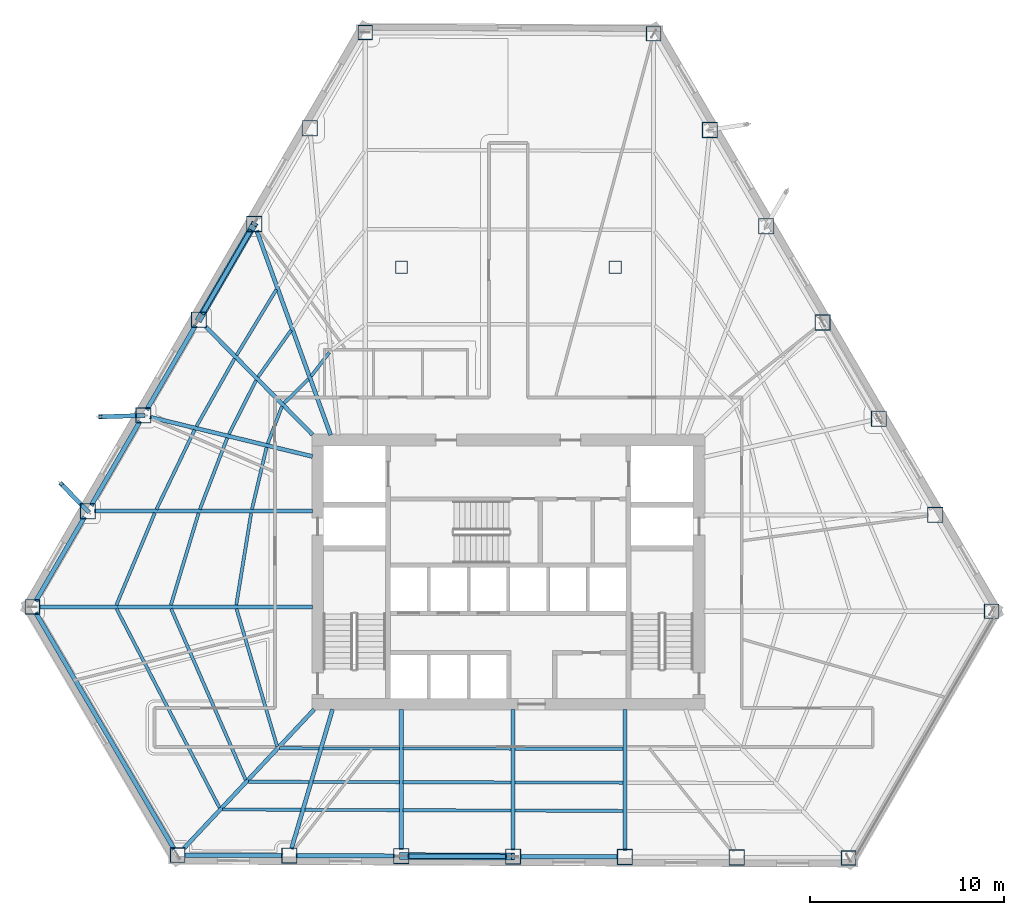
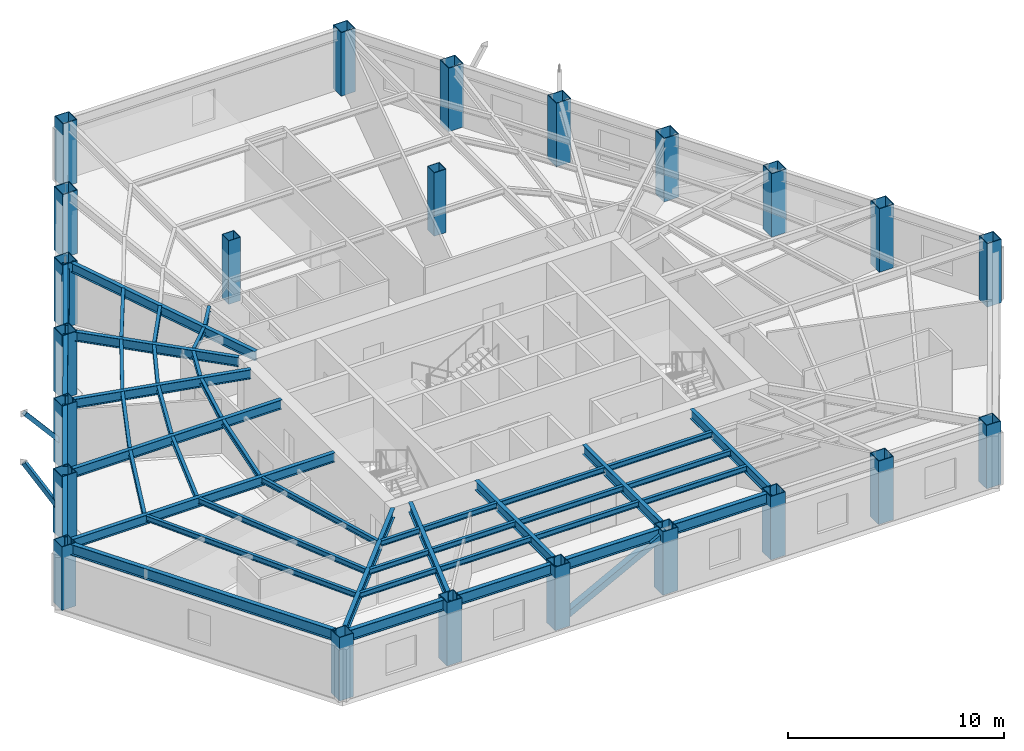
# One storey, part 1 of 14: 47 beams, 23 columns, 4 members.
"""IFC4 building model written with IfcOpenShell, lengths in metres."""

from ifc_helpers import new_model, si_unit, direction, frame, origin, origin_2d, place, context, subcontext, project, spatial, hollow_rectangle, i_section, extrude, material, material_profile, profile_set, type_object, element, save


model = new_model("IFC4")

# Units and contexts
model_context = context("Model", 3, precision=1e-05, world=origin(), true_north=direction((0.0, 1.0)))
body_context = subcontext(model_context, "Body", "Model", "MODEL_VIEW")
ifc_project = project(units=[si_unit("LENGTHUNIT", "METRE"), si_unit("AREAUNIT", "SQUARE_METRE"), si_unit("VOLUMEUNIT", "CUBIC_METRE"), si_unit("PLANEANGLEUNIT", "RADIAN"), si_unit("MASSUNIT", "GRAM", prefix="KILO")], contexts=[model_context])

# Site, building, storey
site_placement = place(None, origin())
site = spatial("IfcSite", under=ifc_project, at=site_placement, CompositionType="ELEMENT")
building_placement = place(site_placement, origin())
building = spatial("IfcBuilding", under=site, at=building_placement, Name="Kavelnor Concourse Tower", CompositionType="ELEMENT")
storey_placement = place(building_placement, frame((0.0, 0.0, 52.199951171875)))
storey = spatial("IfcBuildingStorey", under=building, at=storey_placement, Name="L13", CompositionType="ELEMENT", Elevation=52.199951171875)

# Columns
ifc_material = material(Name="Steel Grade 350", Category="steel")
ifc_material_profile_1 = material_profile(ifc_material, hollow_rectangle(XDim=0.760009765625, YDim=0.760009765625, WallThickness=0.034912109375, at=origin_2d()), Name="SHS 760x760x35")
ifc_profile_set_1 = profile_set([ifc_material_profile_1], Name="Steel Grade 350")
column_type_1 = type_object("IfcColumnType", Name="COL-FOLD-Z1", PredefinedType="COLUMN", material=ifc_profile_set_1)
for number, where, z_axis, x_axis, name in (
    (1, (30.634033203125, 43.885498046875, 0.0), (0.0, 0.0, 1.0), (1.0, 0.0, 0.0), "L13 Perimeter Corner-Fold Column F0-B0"),
    (2, (13.494384765625, 14.3076171875, 0.0), (0.0, 0.0, 1.0), (1.0, 0.0, 0.0), "L13 Perimeter Corner-Fold Column F0-B6"),
    (3, (20.9716796875, 1.53125, 0.0), (0.0, 0.0, 1.0), (1.0, 0.0, 0.0), "L13 Perimeter Corner-Fold Column F1-B0"),
    (4, (55.5205078125, 1.38232421875, 0.0), (0.0, 0.0, 1.0), (1.0, 0.0, 0.0), "L13 Perimeter Corner-Fold Column F1-B6"),
    (5, (62.8828125, 14.08740234375, 0.0), (0.0, 0.0, 1.0), (1.0, 0.0, 0.0), "L13 Perimeter Corner-Fold Column F2-B0"),
    (6, (45.481201171875, 43.8212890625, 0.0), (0.0, 0.0, 1.0), (1.0, 0.0, 0.0), "L13 Perimeter Corner-Fold Column F2-B6"),
):
    element("IfcColumn", number, at=place(storey_placement, frame(where, z_axis=z_axis, x_axis=x_axis)), inside=storey, type_object=column_type_1, Name=name, PredefinedType="COLUMN", context=body_context, shape_type="SweptSolid", body=[
        extrude(hollow_rectangle(XDim=0.760009765625, YDim=0.760009765625, WallThickness=0.034912109375, at=origin_2d()), origin(), (0.0, 0.0, 1.0), 3.590087890625),
    ])
ifc_material_profile_2 = material_profile(ifc_material, hollow_rectangle(XDim=0.800048828125, YDim=0.800048828125, WallThickness=0.035888671875, at=origin_2d()), Name="SHS 800x800x36")
ifc_profile_set_2 = profile_set([ifc_material_profile_2], Name="Steel Grade 350")
column_type_2 = type_object("IfcColumnType", Name="COL-TUBE-Z1", PredefinedType="COLUMN", material=ifc_profile_set_2)
for number, where, z_axis, x_axis, name in (
    (7, (27.77734375, 38.955810546875, 0.0), (0.0, 0.0, 1.0), (1.0, 0.0, 0.0), "L13 Perimeter Framed-Tube Column F0-B1"),
    (8, (24.9208984375, 34.026123046875, 0.0), (0.0, 0.0, 1.0), (1.0, 0.0, 0.0), "L13 Perimeter Framed-Tube Column F0-B2"),
    (9, (22.064208984375, 29.0966796875, 0.0), (0.0, 0.0, 1.0), (1.0, 0.0, 0.0), "L13 Perimeter Framed-Tube Column F0-B3"),
    (10, (19.20751953125, 24.1669921875, 0.0), (0.0, 0.0, 1.0), (1.0, 0.0, 0.0), "L13 Perimeter Framed-Tube Column F0-B4"),
    (11, (16.35107421875, 19.2373046875, 0.0), (0.0, 0.0, 1.0), (1.0, 0.0, 0.0), "L13 Perimeter Framed-Tube Column F0-B5"),
    (12, (26.729736328125, 1.506591796875, 0.0), (0.0, 0.0, 1.0), (1.0, 0.0, 0.0), "L13 Perimeter Framed-Tube Column F1-B1"),
    (13, (32.488037109375, 1.481689453125, 0.0), (0.0, 0.0, 1.0), (1.0, 0.0, 0.0), "L13 Perimeter Framed-Tube Column F1-B2"),
    (14, (38.24609375, 1.456787109375, 0.0), (0.0, 0.0, 1.0), (1.0, 0.0, 0.0), "L13 Perimeter Framed-Tube Column F1-B3"),
    (15, (44.004150390625, 1.431884765625, 0.0), (0.0, 0.0, 1.0), (1.0, 0.0, 0.0), "L13 Perimeter Framed-Tube Column F1-B4"),
    (16, (49.762451171875, 1.406982421875, 0.0), (0.0, 0.0, 1.0), (1.0, 0.0, 0.0), "L13 Perimeter Framed-Tube Column F1-B5"),
    (17, (59.982666015625, 19.043212890625, 0.0), (0.0, 0.0, 1.0), (1.0, 0.0, 0.0), "L13 Perimeter Framed-Tube Column F2-B1"),
    (18, (57.082275390625, 23.998779296875, 0.0), (0.0, 0.0, 1.0), (1.0, 0.0, 0.0), "L13 Perimeter Framed-Tube Column F2-B2"),
    (19, (54.181884765625, 28.95458984375, 0.0), (0.0, 0.0, 1.0), (1.0, 0.0, 0.0), "L13 Perimeter Framed-Tube Column F2-B3"),
    (20, (51.28173828125, 33.91015625, 0.0), (0.0, 0.0, 1.0), (1.0, 0.0, 0.0), "L13 Perimeter Framed-Tube Column F2-B4"),
    (21, (48.38134765625, 38.86572265625, 0.0), (0.0, 0.0, 1.0), (1.0, 0.0, 0.0), "L13 Perimeter Framed-Tube Column F2-B5"),
):
    element("IfcColumn", number, at=place(storey_placement, frame(where, z_axis=z_axis, x_axis=x_axis)), inside=storey, type_object=column_type_2, Name=name, PredefinedType="COLUMN", context=body_context, shape_type="SweptSolid", body=[
        extrude(hollow_rectangle(XDim=0.800048828125, YDim=0.800048828125, WallThickness=0.035888671875, at=origin_2d()), origin(), (0.0, 0.0, 1.0), 3.590087890625),
    ])
ifc_material_profile_3 = material_profile(ifc_material, hollow_rectangle(XDim=0.639892578125, YDim=0.639892578125, WallThickness=0.028076171875, at=origin_2d()), Name="SHS 640x640x28")
ifc_profile_set_3 = profile_set([ifc_material_profile_3], Name="Steel Grade 350")
column_type_3 = type_object("IfcColumnType", Name="COL-TUBE-Z3", PredefinedType="COLUMN", material=ifc_profile_set_3)
for number, where, z_axis, x_axis, name in (
    (22, (32.5, 31.800048828125, 0.0), (0.0, 0.0, 1.0), (1.0, 0.0, 0.0), "L13 North Interior Gravity Column BC-NW"),
    (23, (43.5, 31.800048828125, 0.0), (0.0, 0.0, 1.0), (1.0, 0.0, 0.0), "L13 North Interior Gravity Column BC-NE"),
):
    element("IfcColumn", number, at=place(storey_placement, frame(where, z_axis=z_axis, x_axis=x_axis)), inside=storey, type_object=column_type_3, Name=name, PredefinedType="COLUMN", context=body_context, shape_type="SweptSolid", body=[
        extrude(hollow_rectangle(XDim=0.639892578125, YDim=0.639892578125, WallThickness=0.028076171875, at=origin_2d()), origin(), (0.0, 0.0, 1.0), 3.590087890625),
    ])

# Beams
ifc_material_profile_4 = material_profile(ifc_material, i_section(OverallWidth=0.166015625, OverallDepth=0.306884765625, WebThickness=0.006591796875, FlangeThickness=0.01171875, at=origin_2d()), Name="310UB46")
ifc_profile_set_4 = profile_set([ifc_material_profile_4], Name="Steel Grade 350")
beam_type_1 = type_object("IfcBeamType", Name="BM-JOIST-310", PredefinedType="JOIST", material=ifc_profile_set_4)
beam_1_placement = place(storey_placement, frame((24.00390625, 14.213134765625, 3.4365234375), z_axis=(0.283136985021, -0.959079479352, 0.0), x_axis=(0.959079479352, 0.283136985021, 0.0)))
element("IfcBeam", 24, at=beam_1_placement, inside=storey, type_object=beam_type_1, Name="L13 Secondary Composite Joist 01-1", PredefinedType="JOIST", context=body_context, shape_type="SweptSolid", body=[
    extrude(i_section(OverallWidth=0.166015625, OverallDepth=0.306884765625, WebThickness=0.006591796875, FlangeThickness=0.01171875, at=origin_2d()), origin(), (0.0, 0.0, 1.0), 7.39306640625),
])
beam_2_placement = place(storey_placement, frame((20.635009765625, 14.21728515625, 3.4365234375), z_axis=(0.399623716586, -0.916679270597, 0.0), x_axis=(0.916679270597, 0.399623716586, 0.0)))
element("IfcBeam", 25, at=beam_2_placement, inside=storey, type_object=beam_type_1, Name="L13 Secondary Composite Joist 01-2", PredefinedType="JOIST", context=body_context, shape_type="SweptSolid", body=[
    extrude(i_section(OverallWidth=0.166015625, OverallDepth=0.306884765625, WebThickness=0.006591796875, FlangeThickness=0.01171875, at=origin_2d()), origin(), (0.0, 0.0, 1.0), 9.615478515625),
])
beam_3_placement = place(storey_placement, frame((17.82373046875, 14.22021484375, 3.4365234375), z_axis=(0.45984292972, -0.888000270263, 0.0), x_axis=(0.888000270263, 0.45984292972, 0.0)))
element("IfcBeam", 26, at=beam_3_placement, inside=storey, type_object=beam_type_1, Name="L13 Secondary Composite Joist 01-3", PredefinedType="JOIST", context=body_context, shape_type="SweptSolid", body=[
    extrude(i_section(OverallWidth=0.166015625, OverallDepth=0.306884765625, WebThickness=0.006591796875, FlangeThickness=0.01171875, at=origin_2d()), origin(), (0.0, 0.0, 1.0), 11.542236328125),
])
beam_4_placement = place(storey_placement, frame((26.223388671875, 7.02783203125, 3.4365234375), z_axis=(0.999999128522, -0.001320210083, 0.0), x_axis=(0.001320210083, 0.999999128522, 0.0)))
element("IfcBeam", 27, at=beam_4_placement, inside=storey, type_object=beam_type_1, Name="L13 Secondary Composite Joist 02-1", PredefinedType="JOIST", context=body_context, shape_type="SweptSolid", body=[
    extrude(i_section(OverallWidth=0.166015625, OverallDepth=0.306884765625, WebThickness=0.006591796875, FlangeThickness=0.01171875, at=origin_2d()), origin(), (0.0, 0.0, 1.0), 2.0341796875),
])
beam_5_placement = place(storey_placement, frame((24.615234375, 5.312255859375, 3.4365234375), z_axis=(0.999992106933, -0.003973169013, 0.0), x_axis=(0.003973169013, 0.999992106933, 0.0)))
element("IfcBeam", 28, at=beam_5_placement, inside=storey, type_object=beam_type_1, Name="L13 Secondary Composite Joist 02-2", PredefinedType="JOIST", context=body_context, shape_type="SweptSolid", body=[
    extrude(i_section(OverallWidth=0.166015625, OverallDepth=0.306884765625, WebThickness=0.006591796875, FlangeThickness=0.01171875, at=origin_2d()), origin(), (0.0, 0.0, 1.0), 3.1337890625),
])
beam_6_placement = place(storey_placement, frame((23.275146484375, 3.8828125, 3.4365234375), z_axis=(0.999986562523, -0.005184088515, 0.0), x_axis=(0.005184088515, 0.999986562523, 0.0)))
element("IfcBeam", 29, at=beam_6_placement, inside=storey, type_object=beam_type_1, Name="L13 Secondary Composite Joist 02-3", PredefinedType="JOIST", context=body_context, shape_type="SweptSolid", body=[
    extrude(i_section(OverallWidth=0.166015625, OverallDepth=0.306884765625, WebThickness=0.006591796875, FlangeThickness=0.01171875, at=origin_2d()), origin(), (0.0, 0.0, 1.0), 4.050048828125),
])
beam_7_placement = place(storey_placement, frame((28.45458984375, 7.02490234375, 3.4365234375), z_axis=(0.999998891276, -0.001489109226, 0.0), x_axis=(0.001489109226, 0.999998891276, 0.0)))
element("IfcBeam", 30, at=beam_7_placement, inside=storey, type_object=beam_type_1, Name="L13 Secondary Composite Joist 03-1", PredefinedType="JOIST", context=body_context, shape_type="SweptSolid", body=[
    extrude(i_section(OverallWidth=0.166015625, OverallDepth=0.306884765625, WebThickness=0.006591796875, FlangeThickness=0.01171875, at=origin_2d()), origin(), (0.0, 0.0, 1.0), 3.934814453125),
])
beam_8_placement = place(storey_placement, frame((27.946044921875, 5.29931640625, 3.4365234375), z_axis=(0.999995918392, -0.002857131195, 0.0), x_axis=(0.002857131195, 0.999995918392, 0.0)))
element("IfcBeam", 31, at=beam_8_placement, inside=storey, type_object=beam_type_1, Name="L13 Secondary Composite Joist 03-2", PredefinedType="JOIST", context=body_context, shape_type="SweptSolid", body=[
    extrude(i_section(OverallWidth=0.166015625, OverallDepth=0.306884765625, WebThickness=0.006591796875, FlangeThickness=0.01171875, at=origin_2d()), origin(), (0.0, 0.0, 1.0), 4.443359375),
])
beam_9_placement = place(storey_placement, frame((27.522216796875, 3.861083984375, 3.4365234375), z_axis=(0.999993111052, -0.003711852439, 0.0), x_axis=(0.003711852439, 0.999993111052, 0.0)))
element("IfcBeam", 32, at=beam_9_placement, inside=storey, type_object=beam_type_1, Name="L13 Secondary Composite Joist 03-3", PredefinedType="JOIST", context=body_context, shape_type="SweptSolid", body=[
    extrude(i_section(OverallWidth=0.166015625, OverallDepth=0.306884765625, WebThickness=0.006591796875, FlangeThickness=0.01171875, at=origin_2d()), origin(), (0.0, 0.0, 1.0), 4.8671875),
])
for number, where, z_axis, x_axis, name in (
    (33, (32.58642578125, 7.018798828125, 3.4365234375), (0.999999244532, -0.001229201407, 0.0), (0.001229201407, 0.999999244532, 0.0), "L13 Secondary Composite Joist 04-1"),
    (34, (32.58642578125, 5.2861328125, 3.4365234375), (0.999997493663, -0.002238898642, 0.0), (0.002238898642, 0.999997493663, 0.0), "L13 Secondary Composite Joist 04-2"),
    (35, (32.58642578125, 3.84228515625, 3.4365234375), (0.999995278351, -0.003072991329, 0.0), (0.003072991329, 0.999995278351, 0.0), "L13 Secondary Composite Joist 04-3"),
    (36, (38.344482421875, 7.01171875, 3.4365234375), (0.99999929753, -0.001185301419, 0.0), (0.001185301419, 0.99999929753, 0.0), "L13 Secondary Composite Joist 05-1"),
    (37, (38.344482421875, 5.273193359375, 3.4365234375), (0.999997590987, -0.002194998883, 0.0), (0.002194998883, 0.999997590987, 0.0), "L13 Secondary Composite Joist 05-2"),
    (38, (38.344482421875, 3.82470703125, 3.4365234375), (0.999995142484, -0.003116890782, 0.0), (0.003116890782, 0.999995142484, 0.0), "L13 Secondary Composite Joist 05-3"),
):
    element("IfcBeam", number, at=place(storey_placement, frame(where, z_axis=z_axis, x_axis=x_axis)), inside=storey, type_object=beam_type_1, Name=name, PredefinedType="JOIST", context=body_context, shape_type="SweptSolid", body=[
        extrude(i_section(OverallWidth=0.166015625, OverallDepth=0.306884765625, WebThickness=0.006591796875, FlangeThickness=0.01171875, at=origin_2d()), origin(), (0.0, 0.0, 1.0), 5.561279296875),
    ])
beam_10_placement = place(storey_placement, frame((28.78271484375, 27.409423828125, 3.4365234375), z_axis=(-0.608408259752, -0.793624211744, 0.0), x_axis=(0.793624211744, -0.608408259752, 0.0)))
element("IfcBeam", 39, at=beam_10_placement, inside=storey, type_object=beam_type_1, Name="L13 Secondary Composite Joist 17-1", PredefinedType="JOIST", context=body_context, shape_type="SweptSolid", body=[
    extrude(i_section(OverallWidth=0.166015625, OverallDepth=0.306884765625, WebThickness=0.006591796875, FlangeThickness=0.01171875, at=origin_2d()), origin(), (0.0, 0.0, 1.0), 1.541015625),
])
beam_11_placement = place(storey_placement, frame((27.71484375, 26.039306640625, 3.4365234375), z_axis=(-0.714178343946, -0.699963779805, 0.0), x_axis=(0.699963779805, -0.714178343946, 0.0)))
element("IfcBeam", 40, at=beam_11_placement, inside=storey, type_object=beam_type_1, Name="L13 Secondary Composite Joist 18-1", PredefinedType="JOIST", context=body_context, shape_type="SweptSolid", body=[
    extrude(i_section(OverallWidth=0.166015625, OverallDepth=0.306884765625, WebThickness=0.006591796875, FlangeThickness=0.01171875, at=origin_2d()), origin(), (0.0, 0.0, 1.0), 1.76904296875),
])
beam_12_placement = place(storey_placement, frame((26.814697265625, 28.552978515625, 3.4365234375), z_axis=(-0.577552366327, -0.816353639148, 0.0), x_axis=(0.816353639148, -0.577552366327, 0.0)))
element("IfcBeam", 41, at=beam_12_placement, inside=storey, type_object=beam_type_1, Name="L13 Secondary Composite Joist 18-2", PredefinedType="JOIST", context=body_context, shape_type="SweptSolid", body=[
    extrude(i_section(OverallWidth=0.166015625, OverallDepth=0.306884765625, WebThickness=0.006591796875, FlangeThickness=0.01171875, at=origin_2d()), origin(), (0.0, 0.0, 1.0), 2.943359375),
])
beam_13_placement = place(storey_placement, frame((26.059326171875, 30.653564453125, 3.4365234375), z_axis=(-0.518553193499, -0.855045370441, 0.0), x_axis=(0.855045370441, -0.518553193499, 0.0)))
element("IfcBeam", 42, at=beam_13_placement, inside=storey, type_object=beam_type_1, Name="L13 Secondary Composite Joist 18-3", PredefinedType="JOIST", context=body_context, shape_type="SweptSolid", body=[
    extrude(i_section(OverallWidth=0.166015625, OverallDepth=0.306884765625, WebThickness=0.006591796875, FlangeThickness=0.01171875, at=origin_2d()), origin(), (0.0, 0.0, 1.0), 3.95849609375),
])
beam_14_placement = place(storey_placement, frame((26.345703125, 24.64013671875, 3.4365234375), z_axis=(-0.356763590825, -0.934194701474, 0.0), x_axis=(0.934194701474, -0.356763590825, 0.0)))
element("IfcBeam", 43, at=beam_14_placement, inside=storey, type_object=beam_type_1, Name="L13 Secondary Composite Joist 19-1", PredefinedType="JOIST", context=body_context, shape_type="SweptSolid", body=[
    extrude(i_section(OverallWidth=0.166015625, OverallDepth=0.306884765625, WebThickness=0.006591796875, FlangeThickness=0.01171875, at=origin_2d()), origin(), (0.0, 0.0, 1.0), 2.061279296875),
])
beam_15_placement = place(storey_placement, frame((25.013671875, 25.981689453125, 3.4365234375), z_axis=(-0.450061899027, -0.892997361163, 0.0), x_axis=(0.892997361163, -0.450061899027, 0.0)))
element("IfcBeam", 44, at=beam_15_placement, inside=storey, type_object=beam_type_1, Name="L13 Secondary Composite Joist 19-2", PredefinedType="JOIST", context=body_context, shape_type="SweptSolid", body=[
    extrude(i_section(OverallWidth=0.166015625, OverallDepth=0.306884765625, WebThickness=0.006591796875, FlangeThickness=0.01171875, at=origin_2d()), origin(), (0.0, 0.0, 1.0), 3.117431640625),
])
beam_16_placement = place(storey_placement, frame((23.906982421875, 27.0986328125, 3.4365234375), z_axis=(-0.490136993807, -0.871645413744, 0.0), x_axis=(0.871645413744, -0.490136993807, 0.0)))
element("IfcBeam", 45, at=beam_16_placement, inside=storey, type_object=beam_type_1, Name="L13 Secondary Composite Joist 19-3", PredefinedType="JOIST", context=body_context, shape_type="SweptSolid", body=[
    extrude(i_section(OverallWidth=0.166015625, OverallDepth=0.306884765625, WebThickness=0.006591796875, FlangeThickness=0.01171875, at=origin_2d()), origin(), (0.0, 0.0, 1.0), 4.01171875),
])
beam_17_placement = place(storey_placement, frame((25.552490234375, 22.52685546875, 3.4365234375), z_axis=(-0.229752553117, -0.973249076206, 0.0), x_axis=(0.973249076206, -0.229752553117, 0.0)))
element("IfcBeam", 46, at=beam_17_placement, inside=storey, type_object=beam_type_1, Name="L13 Secondary Composite Joist 20-1", PredefinedType="JOIST", context=body_context, shape_type="SweptSolid", body=[
    extrude(i_section(OverallWidth=0.166015625, OverallDepth=0.306884765625, WebThickness=0.006591796875, FlangeThickness=0.01171875, at=origin_2d()), origin(), (0.0, 0.0, 1.0), 3.281494140625),
])
beam_18_placement = place(storey_placement, frame((23.531005859375, 23.017822265625, 3.4365234375), z_axis=(-0.358129979622, -0.933671739797, 0.0), x_axis=(0.933671739797, -0.358129979622, 0.0)))
element("IfcBeam", 47, at=beam_18_placement, inside=storey, type_object=beam_type_1, Name="L13 Secondary Composite Joist 20-2", PredefinedType="JOIST", context=body_context, shape_type="SweptSolid", body=[
    extrude(i_section(OverallWidth=0.166015625, OverallDepth=0.306884765625, WebThickness=0.006591796875, FlangeThickness=0.01171875, at=origin_2d()), origin(), (0.0, 0.0, 1.0), 3.950439453125),
])
beam_19_placement = place(storey_placement, frame((21.849609375, 23.427001953125, 3.4365234375), z_axis=(-0.433360642545, -0.901220590917, 0.0), x_axis=(0.901220590917, -0.433360642545, 0.0)))
element("IfcBeam", 48, at=beam_19_placement, inside=storey, type_object=beam_type_1, Name="L13 Secondary Composite Joist 20-3", PredefinedType="JOIST", context=body_context, shape_type="SweptSolid", body=[
    extrude(i_section(OverallWidth=0.166015625, OverallDepth=0.306884765625, WebThickness=0.006591796875, FlangeThickness=0.01171875, at=origin_2d()), origin(), (0.0, 0.0, 1.0), 4.55029296875),
])
beam_20_placement = place(storey_placement, frame((24.760009765625, 19.14013671875, 3.4365234375), z_axis=(-0.160155590791, -0.987091782327, 0.0), x_axis=(0.987091782327, -0.160155590791, 0.0)))
element("IfcBeam", 49, at=beam_20_placement, inside=storey, type_object=beam_type_1, Name="L13 Secondary Composite Joist 21-1", PredefinedType="JOIST", context=body_context, shape_type="SweptSolid", body=[
    extrude(i_section(OverallWidth=0.166015625, OverallDepth=0.306884765625, WebThickness=0.006591796875, FlangeThickness=0.01171875, at=origin_2d()), origin(), (0.0, 0.0, 1.0), 4.79736328125),
])
beam_21_placement = place(storey_placement, frame((22.052490234375, 19.14306640625, 3.4365234375), z_axis=(-0.288537335125, -0.957468645042, 0.0), x_axis=(0.957468645042, -0.288537335125, 0.0)))
element("IfcBeam", 50, at=beam_21_placement, inside=storey, type_object=beam_type_1, Name="L13 Secondary Composite Joist 21-2", PredefinedType="JOIST", context=body_context, shape_type="SweptSolid", body=[
    extrude(i_section(OverallWidth=0.166015625, OverallDepth=0.306884765625, WebThickness=0.006591796875, FlangeThickness=0.01171875, at=origin_2d()), origin(), (0.0, 0.0, 1.0), 4.95166015625),
])
beam_22_placement = place(storey_placement, frame((19.797119140625, 19.146484375, 3.4365234375), z_axis=(-0.385023088868, -0.922906940617, 0.0), x_axis=(0.922906940617, -0.385023088868, 0.0)))
element("IfcBeam", 51, at=beam_22_placement, inside=storey, type_object=beam_type_1, Name="L13 Secondary Composite Joist 21-3", PredefinedType="JOIST", context=body_context, shape_type="SweptSolid", body=[
    extrude(i_section(OverallWidth=0.166015625, OverallDepth=0.306884765625, WebThickness=0.006591796875, FlangeThickness=0.01171875, at=origin_2d()), origin(), (0.0, 0.0, 1.0), 5.144287109375),
])
ifc_material_profile_5 = material_profile(ifc_material, i_section(OverallWidth=0.208984375, OverallDepth=0.528076171875, WebThickness=0.009521484375, FlangeThickness=0.01318359375, at=origin_2d()), Name="530UB82")
ifc_profile_set_5 = profile_set([ifc_material_profile_5], Name="Steel Grade 350")
beam_type_2 = type_object("IfcBeamType", Name="BM-PRIMARY-530", PredefinedType="BEAM", material=ifc_profile_set_5)
beam_23_placement = place(storey_placement, frame((28.85107421875, 23.162353515625, 3.325927734375), z_axis=(-0.340195609914, 0.940354692122, 0.0), x_axis=(-0.940354692122, -0.340195609914, 0.0)))
element("IfcBeam", 52, at=beam_23_placement, inside=storey, type_object=beam_type_2, Name="L13 Primary Floor Girder F0-B2", PredefinedType="BEAM", context=body_context, shape_type="SweptSolid", body=[
    extrude(i_section(OverallWidth=0.208984375, OverallDepth=0.528076171875, WebThickness=0.009521484375, FlangeThickness=0.01318359375, at=origin_2d()), origin(), (0.0, 0.0, 1.0), 11.18896484375),
])
beam_24_placement = place(storey_placement, frame((27.924560546875, 23.171630859375, 3.325927734375), z_axis=(-0.703218792706, 0.710973508357, 0.0), x_axis=(-0.710973508357, -0.703218792706, 0.0)))
element("IfcBeam", 53, at=beam_24_placement, inside=storey, type_object=beam_type_2, Name="L13 Primary Floor Girder F0-B3", PredefinedType="BEAM", context=body_context, shape_type="SweptSolid", body=[
    extrude(i_section(OverallWidth=0.208984375, OverallDepth=0.528076171875, WebThickness=0.009521484375, FlangeThickness=0.01318359375, at=origin_2d()), origin(), (0.0, 0.0, 1.0), 7.839111328125),
])
beam_25_placement = place(storey_placement, frame((27.9189453125, 22.05419921875, 3.325927734375), z_axis=(-0.971827483765, 0.235693321497, 0.0), x_axis=(-0.235693321497, -0.971827483765, 0.0)))
element("IfcBeam", 54, at=beam_25_placement, inside=storey, type_object=beam_type_2, Name="L13 Primary Floor Girder F0-B4", PredefinedType="BEAM", context=body_context, shape_type="SweptSolid", body=[
    extrude(i_section(OverallWidth=0.208984375, OverallDepth=0.528076171875, WebThickness=0.009521484375, FlangeThickness=0.01318359375, at=origin_2d()), origin(), (0.0, 0.0, 1.0), 8.613037109375),
])
beam_26_placement = place(storey_placement, frame((27.919921875, 19.2373046875, 3.325927734375), z_axis=(-1.0, 0.0, 0.0), x_axis=(0.0, -1.0, 0.0)))
element("IfcBeam", 55, at=beam_26_placement, inside=storey, type_object=beam_type_2, Name="L13 Primary Floor Girder F0-B5", PredefinedType="BEAM", context=body_context, shape_type="SweptSolid", body=[
    extrude(i_section(OverallWidth=0.208984375, OverallDepth=0.528076171875, WebThickness=0.009521484375, FlangeThickness=0.01318359375, at=origin_2d()), origin(), (0.0, 0.0, 1.0), 11.22900390625),
])
beam_27_placement = place(storey_placement, frame((27.919921875, 14.3076171875, 3.325927734375), z_axis=(-1.0, 0.0, 0.0), x_axis=(0.0, -1.0, 0.0)))
element("IfcBeam", 56, at=beam_27_placement, inside=storey, type_object=beam_type_2, Name="L13 Primary Floor Girder F0-B6", PredefinedType="BEAM", context=body_context, shape_type="SweptSolid", body=[
    extrude(i_section(OverallWidth=0.208984375, OverallDepth=0.528076171875, WebThickness=0.009521484375, FlangeThickness=0.01318359375, at=origin_2d()), origin(), (0.0, 0.0, 1.0), 14.08544921875),
])
beam_28_placement = place(storey_placement, frame((28.001220703125, 9.029296875, 3.325927734375), z_axis=(-0.68395024711, -0.729528655693, 0.0), x_axis=(0.729528655693, -0.68395024711, 0.0)))
element("IfcBeam", 57, at=beam_28_placement, inside=storey, type_object=beam_type_2, Name="L13 Primary Floor Girder F1-B0", PredefinedType="BEAM", context=body_context, shape_type="SweptSolid", body=[
    extrude(i_section(OverallWidth=0.208984375, OverallDepth=0.528076171875, WebThickness=0.009521484375, FlangeThickness=0.01318359375, at=origin_2d()), origin(), (0.0, 0.0, 1.0), 9.797119140625),
])
beam_29_placement = place(storey_placement, frame((28.94921875, 9.038330078125, 3.325927734375), z_axis=(-0.282644158068, -0.959224832826, 0.0), x_axis=(0.959224832826, -0.282644158068, 0.0)))
element("IfcBeam", 58, at=beam_29_placement, inside=storey, type_object=beam_type_2, Name="L13 Primary Floor Girder F1-B1", PredefinedType="BEAM", context=body_context, shape_type="SweptSolid", body=[
    extrude(i_section(OverallWidth=0.208984375, OverallDepth=0.528076171875, WebThickness=0.009521484375, FlangeThickness=0.01318359375, at=origin_2d()), origin(), (0.0, 0.0, 1.0), 7.495849609375),
])
beam_30_placement = place(storey_placement, frame((32.488037109375, 9.0400390625, 3.325927734375), z_axis=(0.0, -1.0, 0.0), x_axis=(1.0, 0.0, 0.0)))
element("IfcBeam", 59, at=beam_30_placement, inside=storey, type_object=beam_type_2, Name="L13 Primary Floor Girder F1-B2", PredefinedType="BEAM", context=body_context, shape_type="SweptSolid", body=[
    extrude(i_section(OverallWidth=0.208984375, OverallDepth=0.528076171875, WebThickness=0.009521484375, FlangeThickness=0.01318359375, at=origin_2d()), origin(), (0.0, 0.0, 1.0), 7.218505859375),
])
beam_31_placement = place(storey_placement, frame((38.24609375, 9.0400390625, 3.325927734375), z_axis=(0.0, -1.0, 0.0), x_axis=(1.0, 0.0, 0.0)))
element("IfcBeam", 60, at=beam_31_placement, inside=storey, type_object=beam_type_2, Name="L13 Primary Floor Girder F1-B3", PredefinedType="BEAM", context=body_context, shape_type="SweptSolid", body=[
    extrude(i_section(OverallWidth=0.208984375, OverallDepth=0.528076171875, WebThickness=0.009521484375, FlangeThickness=0.01318359375, at=origin_2d()), origin(), (0.0, 0.0, 1.0), 7.2431640625),
])
beam_32_placement = place(storey_placement, frame((44.004150390625, 9.0400390625, 3.325927734375), z_axis=(0.0, -1.0, 0.0), x_axis=(1.0, 0.0, 0.0)))
element("IfcBeam", 61, at=beam_32_placement, inside=storey, type_object=beam_type_2, Name="L13 Primary Floor Girder F1-B4", PredefinedType="BEAM", context=body_context, shape_type="SweptSolid", body=[
    extrude(i_section(OverallWidth=0.208984375, OverallDepth=0.528076171875, WebThickness=0.009521484375, FlangeThickness=0.01318359375, at=origin_2d()), origin(), (0.0, 0.0, 1.0), 7.26806640625),
])
ifc_material_profile_6 = material_profile(ifc_material, i_section(OverallWidth=0.22900390625, OverallDepth=0.612060546875, WebThickness=0.011962890625, FlangeThickness=0.01953125, at=origin_2d()), Name="610UB125")
ifc_profile_set_6 = profile_set([ifc_material_profile_6], Name="Steel Grade 350")
beam_type_3 = type_object("IfcBeamType", Name="BM-SPANDREL-Z1", PredefinedType="SPANDREL", material=ifc_profile_set_6)
for number, where, z_axis, x_axis, name in (
    (62, (24.747802734375, 33.727783203125, 3.283935546875), (-0.50134373692, -0.865248205691, 0.0), (0.865248205691, -0.50134373692, 0.0), "L13 Perimeter Tube Spandrel Beam F0-B2"),
    (63, (21.89111328125, 28.798095703125, 3.283935546875), (-0.50134373692, -0.865248205691, 0.0), (0.865248205691, -0.50134373692, 0.0), "L13 Perimeter Tube Spandrel Beam F0-B3"),
    (64, (19.03466796875, 23.868408203125, 3.283935546875), (-0.5014013863, -0.865214799813, 0.0), (0.865214799813, -0.5014013863, 0.0), "L13 Perimeter Tube Spandrel Beam F0-B4"),
):
    element("IfcBeam", number, at=place(storey_placement, frame(where, z_axis=z_axis, x_axis=x_axis)), inside=storey, type_object=beam_type_3, Name=name, PredefinedType="SPANDREL", context=body_context, shape_type="SweptSolid", body=[
        extrude(i_section(OverallWidth=0.22900390625, OverallDepth=0.612060546875, WebThickness=0.011962890625, FlangeThickness=0.01953125, at=origin_2d()), origin(), (0.0, 0.0, 1.0), 5.007568359375),
    ])
beam_33_placement = place(storey_placement, frame((16.177978515625, 18.938720703125, 3.283935546875), z_axis=(-0.501364886771, -0.865235950659, 0.0), x_axis=(0.865235950659, -0.501364886771, 0.0)))
element("IfcBeam", 65, at=beam_33_placement, inside=storey, type_object=beam_type_3, Name="L13 Perimeter Tube Spandrel Beam F0-B5", PredefinedType="SPANDREL", context=body_context, shape_type="SweptSolid", body=[
    extrude(i_section(OverallWidth=0.22900390625, OverallDepth=0.612060546875, WebThickness=0.011962890625, FlangeThickness=0.01953125, at=origin_2d()), origin(), (0.0, 0.0, 1.0), 5.00732421875),
])
beam_34_placement = place(storey_placement, frame((21.316650390625, 1.52978515625, 3.283935546875), z_axis=(0.999990809669, -0.004287257674, 0.0), x_axis=(0.004287257674, 0.999990809669, 0.0)))
element("IfcBeam", 66, at=beam_34_placement, inside=storey, type_object=beam_type_3, Name="L13 Perimeter Tube Spandrel Beam F1-B0", PredefinedType="SPANDREL", context=body_context, shape_type="SweptSolid", body=[
    extrude(i_section(OverallWidth=0.22900390625, OverallDepth=0.612060546875, WebThickness=0.011962890625, FlangeThickness=0.01953125, at=origin_2d()), origin(), (0.0, 0.0, 1.0), 5.068115234375),
])
beam_35_placement = place(storey_placement, frame((27.07470703125, 1.5048828125, 3.283935546875), z_axis=(0.999990810554, -0.004287051163, 0.0), x_axis=(0.004287051163, 0.999990810554, 0.0)))
element("IfcBeam", 67, at=beam_35_placement, inside=storey, type_object=beam_type_3, Name="L13 Perimeter Tube Spandrel Beam F1-B1", PredefinedType="SPANDREL", context=body_context, shape_type="SweptSolid", body=[
    extrude(i_section(OverallWidth=0.22900390625, OverallDepth=0.612060546875, WebThickness=0.011962890625, FlangeThickness=0.01953125, at=origin_2d()), origin(), (0.0, 0.0, 1.0), 5.068359375),
])
for number, where, z_axis, x_axis, name in (
    (68, (32.8330078125, 1.47998046875, 3.283935546875), (0.999990809669, -0.004287257674, 0.0), (0.004287257674, 0.999990809669, 0.0), "L13 Perimeter Tube Spandrel Beam F1-B2"),
    (69, (38.591064453125, 1.455322265625, 3.283935546875), (0.999990809669, -0.004287257674, 0.0), (0.004287257674, 0.999990809669, 0.0), "L13 Perimeter Tube Spandrel Beam F1-B3"),
):
    element("IfcBeam", number, at=place(storey_placement, frame(where, z_axis=z_axis, x_axis=x_axis)), inside=storey, type_object=beam_type_3, Name=name, PredefinedType="SPANDREL", context=body_context, shape_type="SweptSolid", body=[
        extrude(i_section(OverallWidth=0.22900390625, OverallDepth=0.612060546875, WebThickness=0.011962890625, FlangeThickness=0.01953125, at=origin_2d()), origin(), (0.0, 0.0, 1.0), 5.068115234375),
    ])
beam_36_placement = place(storey_placement, frame((13.668701171875, 14.010009765625, 3.283935546875), z_axis=(0.505093412628, -0.863064681539, 0.0), x_axis=(0.863064681539, 0.505093412628, 0.0)))
element("IfcBeam", 70, at=beam_36_placement, inside=storey, type_object=beam_type_3, Name="L13 Chamfer Facet Spandrel Beam C1", PredefinedType="SPANDREL", context=body_context, shape_type="SweptSolid", body=[
    extrude(i_section(OverallWidth=0.22900390625, OverallDepth=0.612060546875, WebThickness=0.011962890625, FlangeThickness=0.01953125, at=origin_2d()), origin(), (0.0, 0.0, 1.0), 14.113525390625),
])

# Members
ifc_material_profile_7 = material_profile(ifc_material, hollow_rectangle(XDim=0.219970703125, YDim=0.219970703125, WallThickness=0.013916015625, at=origin_2d()), Name="SHS 220x220x14")
ifc_profile_set_7 = profile_set([ifc_material_profile_7], Name="Steel Grade 350")
member_type_1 = type_object("IfcMemberType", Name="MBR-BALC-STRUT-220", PredefinedType="STRUT", material=ifc_profile_set_7)
member_1_placement = place(storey_placement, frame((19.20751953125, 24.1669921875, 1.050048828125), z_axis=(-0.648652333972, -0.020321635174, 0.760813499339), x_axis=(0.031313646054, -0.999509607543, 0.0)))
element("IfcMember", 71, at=member_1_placement, inside=storey, type_object=member_type_1, Name="L13 Tree Balcony Raking Knee Strut 2-A", PredefinedType="STRUT", context=body_context, shape_type="SweptSolid", body=[
    extrude(hollow_rectangle(XDim=0.219970703125, YDim=0.219970703125, WallThickness=0.013916015625, at=origin_2d()), origin(), (0.0, 0.0, 1.0), 3.423828125),
])
member_2_placement = place(storey_placement, frame((16.35107421875, 19.2373046875, 1.050048828125), z_axis=(-0.422080320527, 0.430008818485, 0.798085596318), x_axis=(-0.713655357826, -0.700496988035, 0.0)))
element("IfcMember", 72, at=member_2_placement, inside=storey, type_object=member_type_1, Name="L13 Tree Balcony Raking Knee Strut 2-B", PredefinedType="STRUT", context=body_context, shape_type="SweptSolid", body=[
    extrude(hollow_rectangle(XDim=0.219970703125, YDim=0.219970703125, WallThickness=0.013916015625, at=origin_2d()), origin(), (0.0, 0.0, 1.0), 3.263916015625),
])
ifc_material_profile_8 = material_profile(ifc_material, hollow_rectangle(XDim=0.35009765625, YDim=0.35009765625, WallThickness=0.02001953125, at=origin_2d()), Name="SHS 350x350x20")
ifc_profile_set_8 = profile_set([ifc_material_profile_8], Name="Steel Grade 350")
member_type_2 = type_object("IfcMemberType", Name="MBR-TUBE-DIAG-Z1", PredefinedType="BRACE", material=ifc_profile_set_8)
member_3_placement = place(storey_placement, frame((22.064208984375, 29.0966796875, 0.219970703125), z_axis=(0.441596730153, 0.762010048587, 0.473638061996), x_axis=(-0.86521301688, 0.501404462905, 0.0)))
element("IfcMember", 73, at=member_3_placement, inside=storey, type_object=member_type_2, Name="L13 Framed-Tube Bracing Diagonal F0-B2", PredefinedType="BRACE", context=body_context, shape_type="SweptSolid", body=[
    extrude(hollow_rectangle(XDim=0.35009765625, YDim=0.35009765625, WallThickness=0.02001953125, at=origin_2d()), origin(), (0.0, 0.0, 1.0), 6.468994140625),
])
member_4_placement = place(storey_placement, frame((32.488037109375, 1.481689453125, 0.219970703125), z_axis=(0.882791651148, -0.003817882061, 0.469749214412), x_axis=(0.004324742257, 0.999990648258, 0.0)))
element("IfcMember", 74, at=member_4_placement, inside=storey, type_object=member_type_2, Name="L13 Framed-Tube Bracing Diagonal F1-B2", PredefinedType="BRACE", context=body_context, shape_type="SweptSolid", body=[
    extrude(hollow_rectangle(XDim=0.35009765625, YDim=0.35009765625, WallThickness=0.02001953125, at=origin_2d()), origin(), (0.0, 0.0, 1.0), 6.5224609375),
])

save(model, "model.ifc")
